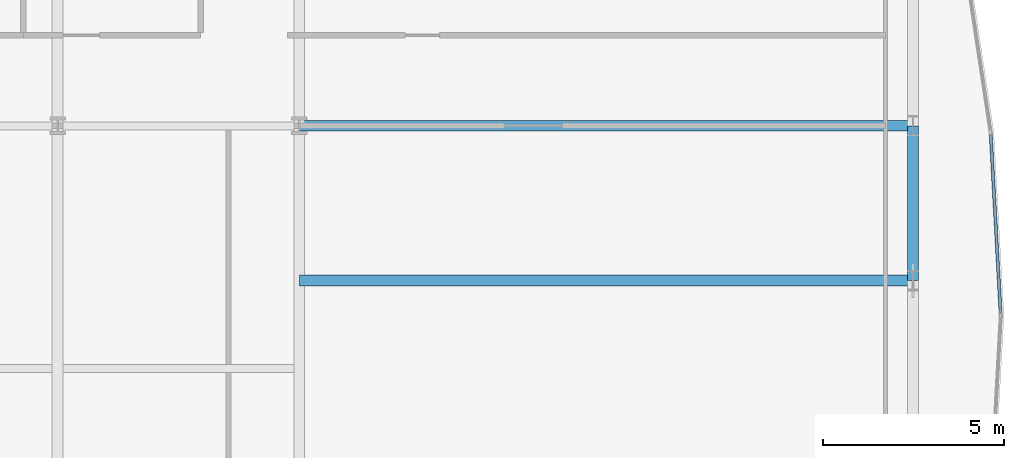
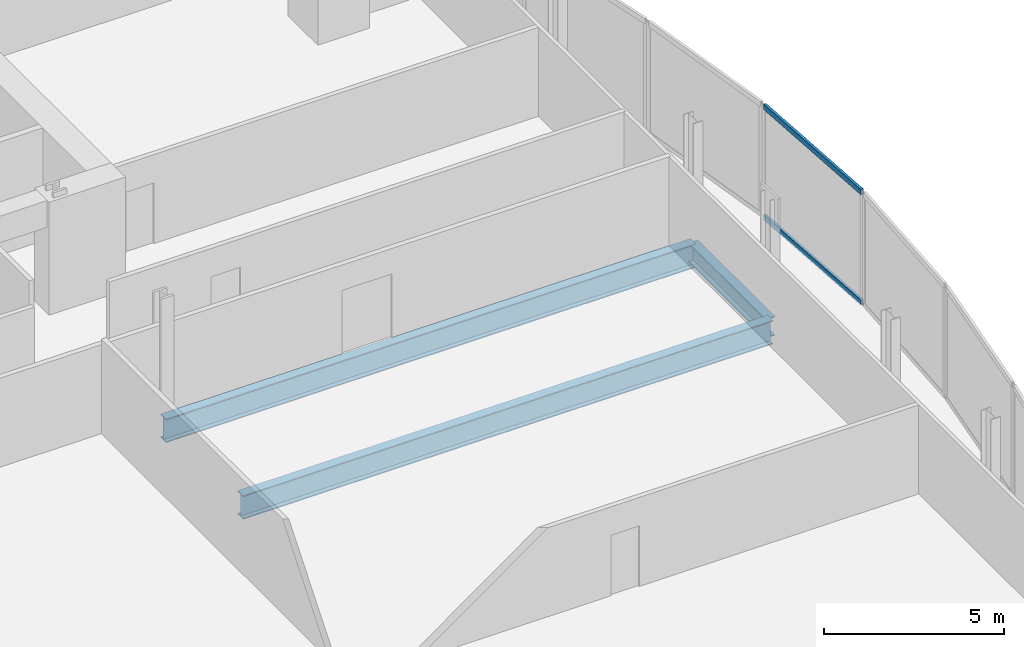
# One storey, part 23 of 36: 3 beams, 2 members, 1 element without a shape of its own.
"""IFC4 building model written with IfcOpenShell, lengths in metres."""

from ifc_helpers import new_model, si_unit, direction, frame, origin, origin_2d, place, context, subcontext, project, spatial, hollow_rectangle, i_section, extrude, material, material_profile, profile_set, type_object, element, aggregate, save


model = new_model("IFC4")

# Units and contexts
model_context = context("Model", 3, precision=1e-05, world=origin(), true_north=direction((0.0, 1.0)))
body_context = subcontext(model_context, "Body", "Model", "MODEL_VIEW")
ifc_project = project(units=[si_unit("LENGTHUNIT", "METRE"), si_unit("AREAUNIT", "SQUARE_METRE"), si_unit("VOLUMEUNIT", "CUBIC_METRE"), si_unit("PLANEANGLEUNIT", "RADIAN"), si_unit("MASSUNIT", "GRAM", prefix="KILO")], contexts=[model_context])

# Site, building, storey
site_placement = place(None, origin())
site = spatial("IfcSite", under=ifc_project, at=site_placement, CompositionType="ELEMENT")
building_placement = place(site_placement, origin())
building = spatial("IfcBuilding", under=site, at=building_placement, Name="Khoronbel Lancet Exchange", CompositionType="ELEMENT")
storey_placement = place(building_placement, frame((0.0, 0.0, 57.800048828125)))
storey = spatial("IfcBuildingStorey", under=building, at=storey_placement, Name="L13", CompositionType="ELEMENT", Elevation=57.800048828125)

# Beams
ifc_material_1 = material(Name="Steel S355", Category="steel")
ifc_material_profile_1 = material_profile(ifc_material_1, i_section(OverallWidth=0.300048828125, OverallDepth=0.800048828125, WebThickness=0.017578125, FlangeThickness=0.032958984375, at=origin_2d()), Name="HEB 800")
ifc_profile_set_1 = profile_set([ifc_material_profile_1], Name="Steel S355")
beam_type_1 = type_object("IfcBeamType", Name="BM-BG2", PredefinedType="BEAM", material=ifc_profile_set_1)
for number, where, z_axis, x_axis, name in (
    (1, (54.675048828125, 31.425048828125, -0.580078125), (1.0, 0.0, 0.0), (0.0, 1.0, 0.0), "Level L13 east lens tie girder LG2E"),
    (2, (54.675048828125, 35.699951171875, -0.580078125), (1.0, 0.0, 0.0), (0.0, 1.0, 0.0), "Level L13 east lens tie girder LG4E"),
):
    element("IfcBeam", number, at=place(storey_placement, frame(where, z_axis=z_axis, x_axis=x_axis)), inside=storey, type_object=beam_type_1, Name=name, PredefinedType="BEAM", context=body_context, shape_type="SweptSolid", body=[
        extrude(i_section(OverallWidth=0.300048828125, OverallDepth=0.800048828125, WebThickness=0.017578125, FlangeThickness=0.032958984375, at=origin_2d()), origin(), (0.0, 0.0, 1.0), 16.954833984375),
    ])
ifc_material_profile_2 = material_profile(ifc_material_1, i_section(OverallWidth=0.300048828125, OverallDepth=0.64990234375, WebThickness=0.01611328125, FlangeThickness=0.031005859375, at=origin_2d()), Name="HEB 650")
ifc_profile_set_2 = profile_set([ifc_material_profile_2], Name="Steel S355")
beam_type_2 = type_object("IfcBeamType", Name="BM-BSP1", PredefinedType="SPANDREL", material=ifc_profile_set_2)
beam_placement = place(storey_placement, frame((71.6298828125, 31.425048828125, -0.505126953125), z_axis=(0.0, 1.0, 0.0), x_axis=(-1.0, 0.0, 0.0)))
element("IfcBeam", 3, at=beam_placement, inside=storey, type_object=beam_type_2, Name="Level L13 perimeter spandrel beam SP13", PredefinedType="SPANDREL", context=body_context, shape_type="SweptSolid", body=[
    extrude(i_section(OverallWidth=0.300048828125, OverallDepth=0.64990234375, WebThickness=0.01611328125, FlangeThickness=0.031005859375, at=origin_2d()), origin(), (0.0, 0.0, 1.0), 4.27490234375),
])

# Curtain wall, members
ifc_material_2 = material(Name="Low-E Solar Control Insulating Glass", Category="glass")
curtain_wall_type = type_object("IfcCurtainWallType", Name="CW-4", PredefinedType="NOTDEFINED", material=ifc_material_2)
curtain_wall_placement = place(storey_placement, origin())
curtain_wall = element("IfcCurtainWall", 4, at=curtain_wall_placement, inside=storey, type_object=curtain_wall_type, Name="Unitised curtain wall CW-L13-E19", PredefinedType="NOTDEFINED")
ifc_material_3 = material(Name="Bronze-Anodised Aluminium 6063-T6", Category="aluminium")
ifc_material_profile_3 = material_profile(ifc_material_3, hollow_rectangle(XDim=0.0849609375, YDim=0.179931640625, WallThickness=0.0048828125, at=origin_2d()), Name="ALU TRANSOM 85x180")
ifc_profile_set_3 = profile_set([ifc_material_profile_3], Name="Bronze-Anodised Aluminium 6063-T6")
member_type = type_object("IfcMemberType", Name="MEM-CWT1", PredefinedType="USERDEFINED", material=ifc_profile_set_3)
member_1_placement = place(storey_placement, frame((73.77783203125, 35.44921875, 0.04248046875), z_axis=(0.055097141877, -0.998480998796, 0.0), x_axis=(0.998480998796, 0.055097141877, 0.0)))
member_1 = element("IfcMember", 5, at=member_1_placement, type_object=member_type, Name="CW4 transom 1.1", ObjectType="TRANSOM", PredefinedType="USERDEFINED", context=body_context, shape_type="SweptSolid", body=[
    extrude(hollow_rectangle(XDim=0.0849609375, YDim=0.179931640625, WallThickness=0.0048828125, at=origin_2d()), origin(), (0.0, 0.0, 1.0), 4.931884765625),
])
member_2_placement = place(storey_placement, frame((73.77783203125, 35.44921875, 3.77734375), z_axis=(0.055097141877, -0.998480998796, 0.0), x_axis=(0.998480998796, 0.055097141877, 0.0)))
member_2 = element("IfcMember", 6, at=member_2_placement, type_object=member_type, Name="CW4 transom 1.2", ObjectType="TRANSOM", PredefinedType="USERDEFINED", context=body_context, shape_type="SweptSolid", body=[
    extrude(hollow_rectangle(XDim=0.0849609375, YDim=0.179931640625, WallThickness=0.0048828125, at=origin_2d()), origin(), (0.0, 0.0, 1.0), 4.931884765625),
])
aggregate(curtain_wall, [member_1, member_2])

save(model, "model.ifc")
